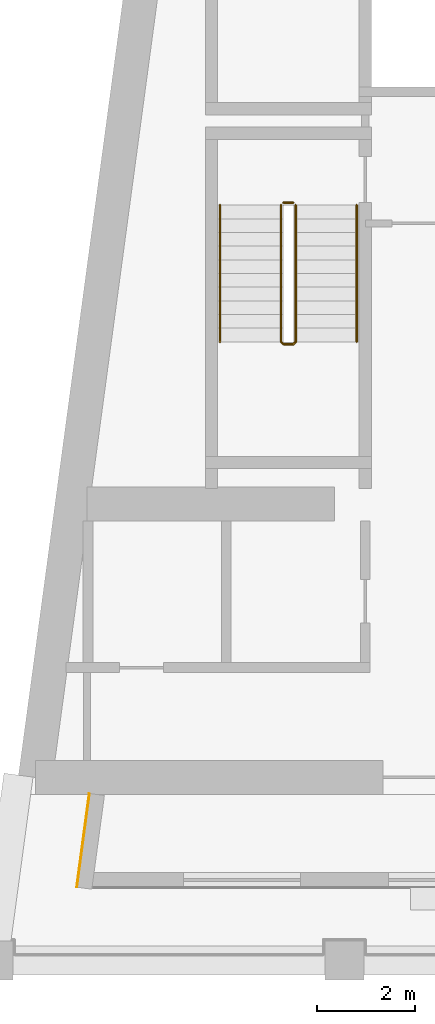
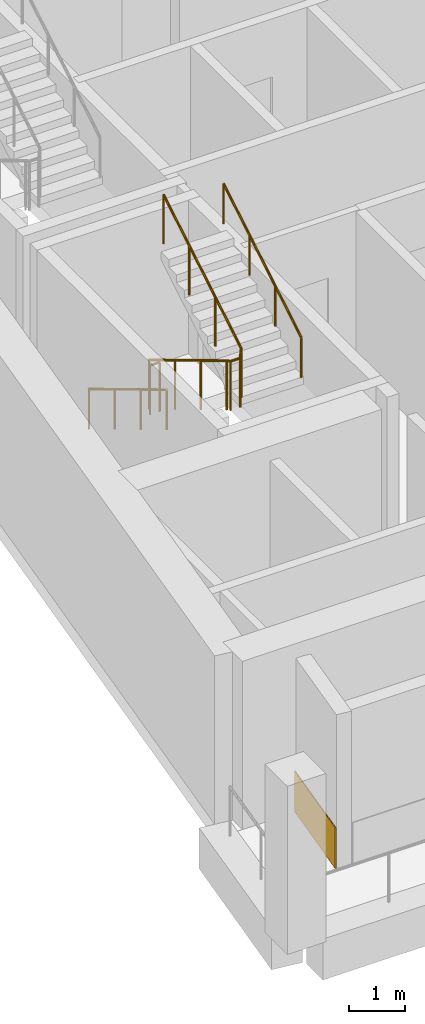
# One storey, part 8 of 14: 4 railings, 1 covering.
"""IFC4 building model written with IfcOpenShell, lengths in metres."""

from ifc_helpers import new_model, si_unit, direction, frame, origin, origin_2d, place, context, subcontext, project, spatial, rectangle, circle, extrude, material, layer, layer_set, type_object, element, save


model = new_model("IFC4")

# Units and contexts
model_context = context("Model", 3, precision=1e-05, world=origin(), true_north=direction((0.0, 1.0)))
body_context = subcontext(model_context, "Body", "Model", "MODEL_VIEW")
ifc_project = project(units=[si_unit("LENGTHUNIT", "METRE"), si_unit("AREAUNIT", "SQUARE_METRE"), si_unit("VOLUMEUNIT", "CUBIC_METRE"), si_unit("PLANEANGLEUNIT", "RADIAN"), si_unit("MASSUNIT", "GRAM", prefix="KILO")], contexts=[model_context])

# Site, building, storey
site_placement = place(None, origin())
site = spatial("IfcSite", under=ifc_project, at=site_placement, CompositionType="ELEMENT")
building_placement = place(site_placement, origin())
building = spatial("IfcBuilding", under=site, at=building_placement, Name="Candeia Pilgrim Tower and Theatre", CompositionType="ELEMENT")
storey_placement = place(building_placement, frame((0.0, 0.0, 273.800048828125)))
storey = spatial("IfcBuildingStorey", under=building, at=storey_placement, Name="L66", CompositionType="ELEMENT", Elevation=273.800048828125)

# Covering
ifc_material_1 = material(Name="Glazed ceramic tile bottle green")
ifc_layer = layer(ifc_material_1, 0.02001953125)
ifc_layer_set = layer_set([ifc_layer], Name="Glazed ceramic tile bottle green")
covering_type = type_object("IfcCoveringType", Name="Glazed ceramic tile bottle green", PredefinedType="CLADDING", material=ifc_layer_set)
covering_placement = place(storey_placement, frame((87.04638671875, 109.46142578125, 0.0), z_axis=(0.0, 0.0, 1.0), x_axis=(-0.133412012145, -0.991060661622, 0.0)))
element("IfcCovering", 1, at=covering_placement, inside=storey, type_object=covering_type, Name="Tile cladding bottle green L66", PredefinedType="CLADDING", context=body_context, shape_type="SweptSolid", body=[
    extrude(rectangle(XDim=1.937255859375, YDim=0.02001953125, at=origin_2d()), origin(), (0.0, 0.0, 1.0), 0.89990234375),
])

# Railings
ifc_material_2 = material(Name="Stainless steel balustrade", Category="steel")
railing_type_1 = type_object("IfcRailingType", Name="RL-GUARD-1100", PredefinedType="GUARDRAIL", material=ifc_material_2)
railing_1_placement = place(storey_placement, frame((91.10205078125, 122.47509765625, 0.168212890625)))
element("IfcRailing", 2, at=railing_1_placement, inside=storey, type_object=railing_type_1, Name="L66 ST1 stair guard 1", PredefinedType="GUARDRAIL", context=body_context, shape_type="SweptSolid", body=[
    extrude(circle(Radius=0.02392578125, at=origin_2d()), frame((0.0, 0.0, 1.076171875), z_axis=(0.0, -0.857275202839, 0.514858452973), x_axis=(1.0, 0.0, 0.0)), (0.0, 0.0, 1.0), 3.26611328125),
    extrude(circle(Radius=0.02392578125, at=origin_2d()), frame((0.0, -2.800048828125, 2.7578125), z_axis=(0.707106781187, -0.707106781187, 0.0), x_axis=(0.707106781187, 0.707106781187, 0.0)), (0.0, 0.0, 1.0), 0.07080078125),
    extrude(circle(Radius=0.02392578125, at=origin_2d()), frame((0.050048828125, -2.85009765625, 2.7578125), z_axis=(1.0, 0.0, 0.0), x_axis=(0.0, 1.0, 0.0)), (0.0, 0.0, 1.0), 0.199951171875),
    extrude(circle(Radius=0.02392578125, at=origin_2d()), frame((0.25, -2.85009765625, 2.7578125), z_axis=(0.274243871929, 0.274243871929, 0.92172696468), x_axis=(-0.707106781187, 0.707106781187, 0.0)), (0.0, 0.0, 1.0), 0.1826171875),
    extrude(circle(Radius=0.02392578125, at=origin_2d()), frame((0.300048828125, -2.800048828125, 2.92578125), z_axis=(0.0, 0.857242210791, 0.514913383045), x_axis=(-1.0, 0.0, 0.0)), (0.0, 0.0, 1.0), 3.266357421875),
    extrude(circle(Radius=0.02099609375, at=origin_2d()), origin(), (0.0, 0.0, 1.0), 1.052001953125),
    extrude(circle(Radius=0.02099609375, at=origin_2d()), frame((0.0, -0.933349609375, 0.560546875)), (0.0, 0.0, 1.0), 1.052001953125),
    extrude(circle(Radius=0.02099609375, at=origin_2d()), frame((0.0, -1.86669921875, 1.12109375)), (0.0, 0.0, 1.0), 1.052001953125),
    extrude(circle(Radius=0.02099609375, at=origin_2d()), frame((0.0, -2.800048828125, 1.681640625)), (0.0, 0.0, 1.0), 1.052001953125),
    extrude(circle(Radius=0.02099609375, at=origin_2d()), frame((0.050048828125, -2.85009765625, 1.681640625)), (0.0, 0.0, 1.0), 1.052001953125),
    extrude(circle(Radius=0.02099609375, at=origin_2d()), frame((0.25, -2.85009765625, 1.681640625)), (0.0, 0.0, 1.0), 1.052001953125),
    extrude(circle(Radius=0.02099609375, at=origin_2d()), frame((0.300048828125, -2.800048828125, 1.849853515625)), (0.0, 0.0, 1.0), 1.052001953125),
    extrude(circle(Radius=0.02099609375, at=origin_2d()), frame((0.300048828125, -1.86669921875, 2.410400390625)), (0.0, 0.0, 1.0), 1.052001953125),
    extrude(circle(Radius=0.02099609375, at=origin_2d()), frame((0.300048828125, -0.933349609375, 2.97119140625)), (0.0, 0.0, 1.0), 1.052001953125),
    extrude(circle(Radius=0.02099609375, at=origin_2d()), frame((0.300048828125, 0.0, 3.53173828125)), (0.0, 0.0, 1.0), 1.052001953125),
])
railing_2_placement = place(storey_placement, frame((91.152099609375, 122.52490234375, 0.0)))
element("IfcRailing", 3, at=railing_2_placement, inside=storey, type_object=railing_type_1, Name="L66 ST1 stair guard 2", PredefinedType="GUARDRAIL", context=body_context, shape_type="SweptSolid", body=[
    extrude(circle(Radius=0.02392578125, at=origin_2d()), frame((0.0, 0.0, 1.076171875), z_axis=(1.0, 0.0, 0.0), x_axis=(0.0, 1.0, 0.0)), (0.0, 0.0, 1.0), 0.199951171875),
    extrude(circle(Radius=0.02099609375, at=origin_2d()), origin(), (0.0, 0.0, 1.0), 1.052001953125),
    extrude(circle(Radius=0.02099609375, at=origin_2d()), frame((0.199951171875, 0.0, 0.0)), (0.0, 0.0, 1.0), 1.052001953125),
])
ifc_material_3 = material(Name="Stainless steel handrail", Category="steel")
railing_type_2 = type_object("IfcRailingType", Name="RL-HANDRAIL-900", PredefinedType="HANDRAIL", material=ifc_material_3)
railing_3_placement = place(storey_placement, frame((89.85205078125, 122.47509765625, 0.168212890625)))
element("IfcRailing", 4, at=railing_3_placement, inside=storey, type_object=railing_type_2, Name="L66 ST1 stair handrail 1", PredefinedType="HANDRAIL", context=body_context, shape_type="SweptSolid", body=[
    extrude(circle(Radius=0.02392578125, at=origin_2d()), frame((0.0, 0.0, 0.8759765625), z_axis=(0.0, -0.857275202839, 0.514858452973), x_axis=(1.0, 0.0, 0.0)), (0.0, 0.0, 1.0), 3.26611328125),
    extrude(circle(Radius=0.02099609375, at=origin_2d()), origin(), (0.0, 0.0, 1.0), 0.851806640625),
    extrude(circle(Radius=0.02099609375, at=origin_2d()), frame((0.0, -0.933349609375, 0.560546875)), (0.0, 0.0, 1.0), 0.851806640625),
    extrude(circle(Radius=0.02099609375, at=origin_2d()), frame((0.0, -1.86669921875, 1.12109375)), (0.0, 0.0, 1.0), 0.851806640625),
    extrude(circle(Radius=0.02099609375, at=origin_2d()), frame((0.0, -2.800048828125, 1.681640625)), (0.0, 0.0, 1.0), 0.851806640625),
])
railing_4_placement = place(storey_placement, frame((92.652099609375, 119.675048828125, 2.01806640625)))
element("IfcRailing", 5, at=railing_4_placement, inside=storey, type_object=railing_type_2, Name="L66 ST1 stair handrail 2", PredefinedType="HANDRAIL", context=body_context, shape_type="SweptSolid", body=[
    extrude(circle(Radius=0.02392578125, at=origin_2d()), frame((0.0, 0.0, 0.8759765625), z_axis=(0.0, 0.857242210791, 0.514913383045), x_axis=(-1.0, 0.0, 0.0)), (0.0, 0.0, 1.0), 3.266357421875),
    extrude(circle(Radius=0.02099609375, at=origin_2d()), origin(), (0.0, 0.0, 1.0), 0.851806640625),
    extrude(circle(Radius=0.02099609375, at=origin_2d()), frame((0.0, 0.933349609375, 0.560546875)), (0.0, 0.0, 1.0), 0.851806640625),
    extrude(circle(Radius=0.02099609375, at=origin_2d()), frame((0.0, 1.86669921875, 1.121337890625)), (0.0, 0.0, 1.0), 0.851806640625),
    extrude(circle(Radius=0.02099609375, at=origin_2d()), frame((0.0, 2.800048828125, 1.681884765625)), (0.0, 0.0, 1.0), 0.851806640625),
])

save(model, "model.ifc")
